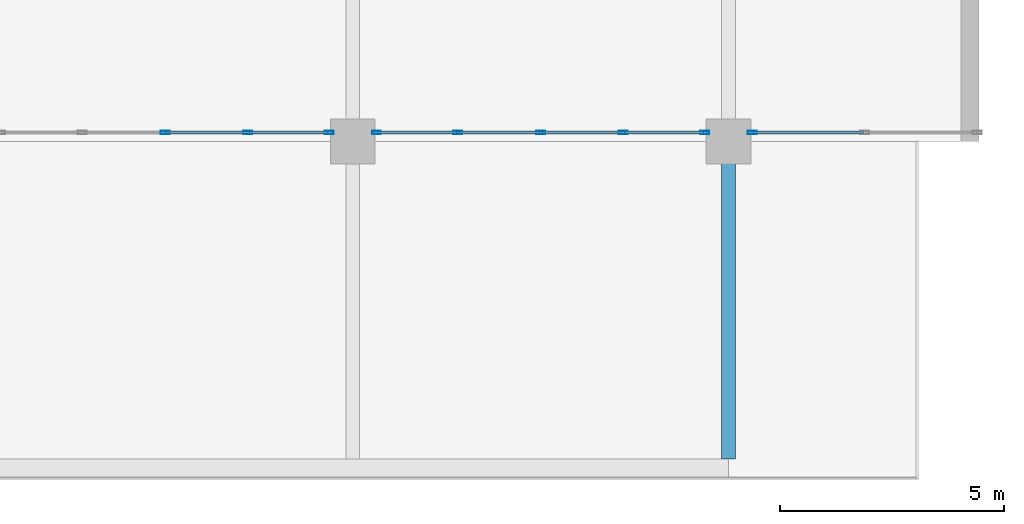
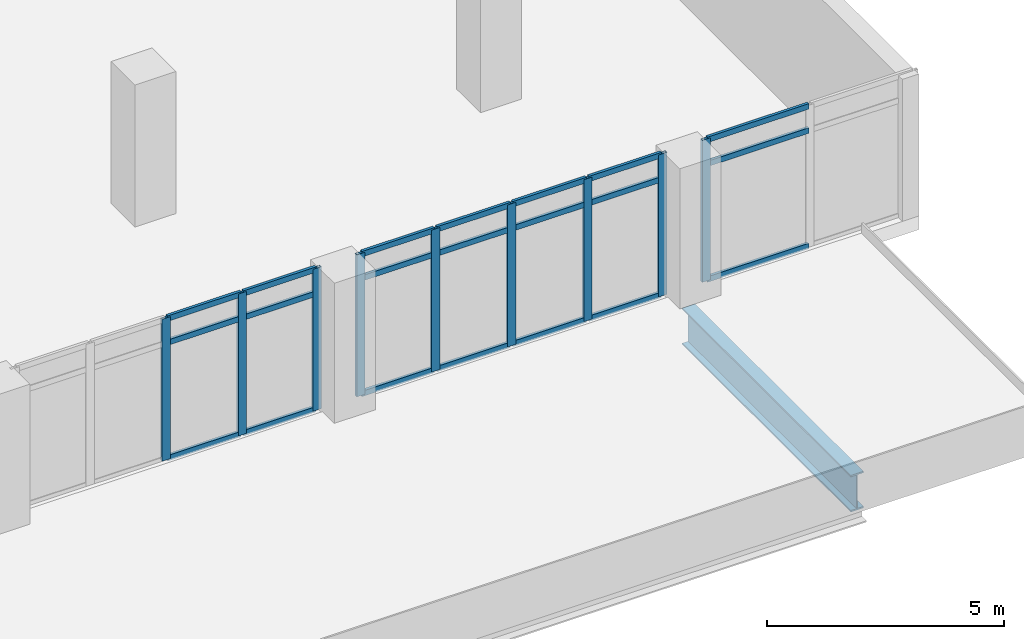
# One storey, part 6 of 24: 30 members, 1 beam, 3 elements without a shape of their own.
"""IFC4 building model written with IfcOpenShell, lengths in metres."""

from ifc_helpers import new_model, si_unit, direction, frame, origin, origin_2d, place, context, subcontext, project, spatial, hollow_rectangle, i_section, extrude, material, material_profile, profile_set, type_object, element, aggregate, save


model = new_model("IFC4")

# Units and contexts
model_context = context("Model", 3, precision=1e-05, world=origin(), true_north=direction((0.0, 1.0)))
body_context = subcontext(model_context, "Body", "Model", "MODEL_VIEW")
ifc_project = project(units=[si_unit("LENGTHUNIT", "METRE"), si_unit("AREAUNIT", "SQUARE_METRE"), si_unit("VOLUMEUNIT", "CUBIC_METRE"), si_unit("PLANEANGLEUNIT", "RADIAN"), si_unit("MASSUNIT", "GRAM", prefix="KILO")], contexts=[model_context])

# Site, building, storey
site_placement = place(None, origin())
site = spatial("IfcSite", under=ifc_project, at=site_placement, CompositionType="ELEMENT")
building_placement = place(site_placement, origin())
building = spatial("IfcBuilding", under=site, at=building_placement, Name="Ostrander Bayou Hotel Tower", CompositionType="ELEMENT")
storey_placement = place(building_placement, frame((0.0, 0.0, 6.0)))
storey = spatial("IfcBuildingStorey", under=building, at=storey_placement, Name="L01", CompositionType="ELEMENT", Elevation=6.0)

# Beam
ifc_material_1 = material(Name="Steel ASTM A992", Category="steel")
ifc_material_profile_1 = material_profile(ifc_material_1, i_section(OverallWidth=0.307861328125, OverallDepth=0.94287109375, WebThickness=0.022216796875, FlangeThickness=0.039794921875, at=origin_2d()))
ifc_profile_set_1 = profile_set([ifc_material_profile_1], Name="Steel ASTM A992")
beam_type = type_object("IfcBeamType", Name="CG2 canopy cantilever girder W36x232", PredefinedType="BEAM", material=ifc_profile_set_1)
beam_placement = place(storey_placement, frame((8.39990234375, -50.39990234375, -0.8212890625), z_axis=(0.0, -1.0, 0.0), x_axis=(1.0, 0.0, 0.0)))
element("IfcBeam", 1, at=beam_placement, inside=storey, type_object=beam_type, Name="CG2 G3 cantilever", PredefinedType="BEAM", context=body_context, shape_type="SweptSolid", body=[
    extrude(i_section(OverallWidth=0.307861328125, OverallDepth=0.94287109375, WebThickness=0.022216796875, FlangeThickness=0.039794921875, at=origin_2d()), origin(), (0.0, 0.0, 1.0), 7.097900390625),
])

# Curtain wall, member
ifc_material_2 = material(Name="Aluminium and clear glass", Category="aluminium")
curtain_wall_type = type_object("IfcCurtainWallType", Name="CW-LOBBY glazed wall", PredefinedType="NOTDEFINED", material=ifc_material_2)
curtain_wall_1_placement = place(storey_placement, origin())
curtain_wall_1 = element("IfcCurtainWall", 2, at=curtain_wall_1_placement, inside=storey, type_object=curtain_wall_type, Name="CW-LOBBY L01:2", PredefinedType="NOTDEFINED")
ifc_material_3 = material(Name="Aluminium", Category="aluminium")
ifc_material_profile_2 = material_profile(ifc_material_3, hollow_rectangle(XDim=0.070068359375, YDim=0.199951171875, WallThickness=0.00390625, at=origin_2d()))
ifc_profile_set_2 = profile_set([ifc_material_profile_2], Name="Aluminium")
member_type_1 = type_object("IfcMemberType", Name="CW-LO mullion 70 x 200 mm", PredefinedType="MULLION", material=ifc_profile_set_2)
member_1_placement = place(storey_placement, frame((8.929931640625, -50.199951171875, 0.0), z_axis=(0.0, 0.0, 1.0), x_axis=(0.0, -1.0, 0.0)))
member_1 = element("IfcMember", 3, at=member_1_placement, type_object=member_type_1, Name="CW-LOBBY mullion 3", PredefinedType="MULLION", context=body_context, shape_type="SweptSolid", body=[
    extrude(hollow_rectangle(XDim=0.070068359375, YDim=0.199951171875, WallThickness=0.00390625, at=origin_2d()), origin(), (0.0, 0.0, 1.0), 3.64990234375),
])

# Curtain wall, members
curtain_wall_2_placement = place(storey_placement, origin())
curtain_wall_2 = element("IfcCurtainWall", 4, at=curtain_wall_2_placement, inside=storey, type_object=curtain_wall_type, Name="CW-LOBBY L01:3", PredefinedType="NOTDEFINED")
member_2_placement = place(storey_placement, frame((7.8701171875, -50.199951171875, 0.0), z_axis=(0.0, 0.0, 1.0), x_axis=(0.0, -1.0, 0.0)))
member_2 = element("IfcMember", 5, at=member_2_placement, type_object=member_type_1, Name="CW-LOBBY mullion 1", PredefinedType="MULLION", context=body_context, shape_type="SweptSolid", body=[
    extrude(hollow_rectangle(XDim=0.070068359375, YDim=0.199951171875, WallThickness=0.00390625, at=origin_2d()), origin(), (0.0, 0.0, 1.0), 3.64990234375),
])
member_3_placement = place(storey_placement, frame((6.050048828125, -50.199951171875, 0.0), z_axis=(0.0, 0.0, 1.0), x_axis=(0.0, -1.0, 0.0)))
member_3 = element("IfcMember", 6, at=member_3_placement, type_object=member_type_1, Name="CW-LOBBY mullion 2", PredefinedType="MULLION", context=body_context, shape_type="SweptSolid", body=[
    extrude(hollow_rectangle(XDim=0.070068359375, YDim=0.199951171875, WallThickness=0.00390625, at=origin_2d()), origin(), (0.0, 0.0, 1.0), 3.64990234375),
])
member_4_placement = place(storey_placement, frame((4.199951171875, -50.199951171875, 0.0), z_axis=(0.0, 0.0, 1.0), x_axis=(0.0, -1.0, 0.0)))
member_4 = element("IfcMember", 7, at=member_4_placement, type_object=member_type_1, Name="CW-LOBBY mullion 3", PredefinedType="MULLION", context=body_context, shape_type="SweptSolid", body=[
    extrude(hollow_rectangle(XDim=0.070068359375, YDim=0.199951171875, WallThickness=0.00390625, at=origin_2d()), origin(), (0.0, 0.0, 1.0), 3.64990234375),
])
member_5_placement = place(storey_placement, frame((2.35009765625, -50.199951171875, 0.0), z_axis=(0.0, 0.0, 1.0), x_axis=(0.0, -1.0, 0.0)))
member_5 = element("IfcMember", 8, at=member_5_placement, type_object=member_type_1, Name="CW-LOBBY mullion 4", PredefinedType="MULLION", context=body_context, shape_type="SweptSolid", body=[
    extrude(hollow_rectangle(XDim=0.070068359375, YDim=0.199951171875, WallThickness=0.00390625, at=origin_2d()), origin(), (0.0, 0.0, 1.0), 3.64990234375),
])
member_6_placement = place(storey_placement, frame((0.530029296875, -50.199951171875, 0.0), z_axis=(0.0, 0.0, 1.0), x_axis=(0.0, -1.0, 0.0)))
member_6 = element("IfcMember", 9, at=member_6_placement, type_object=member_type_1, Name="CW-LOBBY mullion 5", PredefinedType="MULLION", context=body_context, shape_type="SweptSolid", body=[
    extrude(hollow_rectangle(XDim=0.070068359375, YDim=0.199951171875, WallThickness=0.00390625, at=origin_2d()), origin(), (0.0, 0.0, 1.0), 3.64990234375),
])

curtain_wall_3_placement = place(storey_placement, origin())
curtain_wall_3 = element("IfcCurtainWall", 10, at=curtain_wall_3_placement, inside=storey, type_object=curtain_wall_type, Name="CW-LOBBY L01:4", PredefinedType="NOTDEFINED")
member_7_placement = place(storey_placement, frame((-0.530029296875, -50.199951171875, 0.0), z_axis=(0.0, 0.0, 1.0), x_axis=(0.0, -1.0, 0.0)))
member_7 = element("IfcMember", 11, at=member_7_placement, type_object=member_type_1, Name="CW-LOBBY mullion 1", PredefinedType="MULLION", context=body_context, shape_type="SweptSolid", body=[
    extrude(hollow_rectangle(XDim=0.070068359375, YDim=0.199951171875, WallThickness=0.00390625, at=origin_2d()), origin(), (0.0, 0.0, 1.0), 3.64990234375),
])
member_8_placement = place(storey_placement, frame((-2.35009765625, -50.199951171875, 0.0), z_axis=(0.0, 0.0, 1.0), x_axis=(0.0, -1.0, 0.0)))
member_8 = element("IfcMember", 12, at=member_8_placement, type_object=member_type_1, Name="CW-LOBBY mullion 2", PredefinedType="MULLION", context=body_context, shape_type="SweptSolid", body=[
    extrude(hollow_rectangle(XDim=0.070068359375, YDim=0.199951171875, WallThickness=0.00390625, at=origin_2d()), origin(), (0.0, 0.0, 1.0), 3.64990234375),
])
member_9_placement = place(storey_placement, frame((-4.199951171875, -50.199951171875, 0.0), z_axis=(0.0, 0.0, 1.0), x_axis=(0.0, -1.0, 0.0)))
member_9 = element("IfcMember", 13, at=member_9_placement, type_object=member_type_1, Name="CW-LOBBY mullion 3", PredefinedType="MULLION", context=body_context, shape_type="SweptSolid", body=[
    extrude(hollow_rectangle(XDim=0.070068359375, YDim=0.199951171875, WallThickness=0.00390625, at=origin_2d()), origin(), (0.0, 0.0, 1.0), 3.64990234375),
])

# Member
ifc_material_4 = material(Name="Aluminium", Category="aluminium")
ifc_material_profile_3 = material_profile(ifc_material_4, hollow_rectangle(XDim=0.070068359375, YDim=0.139892578125, WallThickness=0.00390625, at=origin_2d()))
ifc_profile_set_3 = profile_set([ifc_material_profile_3], Name="Aluminium")
member_type_2 = type_object("IfcMemberType", Name="CW-LO transom 70 x 140 mm", PredefinedType="USERDEFINED", material=ifc_profile_set_3)
member_10_placement = place(storey_placement, frame((11.419921875, -50.199951171875, 0.030029296875), z_axis=(-1.0, 0.0, 0.0), x_axis=(0.0, -1.0, 0.0)))
member_10 = element("IfcMember", 14, at=member_10_placement, type_object=member_type_2, Name="CW-LOBBY transom 2.1", ObjectType="TRANSOM", PredefinedType="USERDEFINED", context=body_context, shape_type="SweptSolid", body=[
    extrude(hollow_rectangle(XDim=0.070068359375, YDim=0.139892578125, WallThickness=0.00390625, at=origin_2d()), origin(), (0.0, 0.0, 1.0), 2.4599609375),
])

member_11_placement = place(storey_placement, frame((11.419921875, -50.199951171875, 3.0), z_axis=(-1.0, 0.0, 0.0), x_axis=(0.0, -1.0, 0.0)))
member_11 = element("IfcMember", 15, at=member_11_placement, type_object=member_type_2, Name="CW-LOBBY transom 2.2", ObjectType="TRANSOM", PredefinedType="USERDEFINED", context=body_context, shape_type="SweptSolid", body=[
    extrude(hollow_rectangle(XDim=0.070068359375, YDim=0.139892578125, WallThickness=0.00390625, at=origin_2d()), origin(), (0.0, 0.0, 1.0), 2.4599609375),
])

member_12_placement = place(storey_placement, frame((11.419921875, -50.199951171875, 3.6201171875), z_axis=(-1.0, 0.0, 0.0), x_axis=(0.0, -1.0, 0.0)))
member_12 = element("IfcMember", 16, at=member_12_placement, type_object=member_type_2, Name="CW-LOBBY transom 2.3", ObjectType="TRANSOM", PredefinedType="USERDEFINED", context=body_context, shape_type="SweptSolid", body=[
    extrude(hollow_rectangle(XDim=0.070068359375, YDim=0.139892578125, WallThickness=0.00390625, at=origin_2d()), origin(), (0.0, 0.0, 1.0), 2.4599609375),
])

aggregate(curtain_wall_1, [member_1, member_10, member_11, member_12])

member_13_placement = place(storey_placement, frame((7.840087890625, -50.199951171875, 0.030029296875), z_axis=(-1.0, 0.0, 0.0), x_axis=(0.0, -1.0, 0.0)))
member_13 = element("IfcMember", 17, at=member_13_placement, type_object=member_type_2, Name="CW-LOBBY transom 1.1", ObjectType="TRANSOM", PredefinedType="USERDEFINED", context=body_context, shape_type="SweptSolid", body=[
    extrude(hollow_rectangle(XDim=0.070068359375, YDim=0.139892578125, WallThickness=0.00390625, at=origin_2d()), origin(), (0.0, 0.0, 1.0), 1.760009765625),
])

member_14_placement = place(storey_placement, frame((7.840087890625, -50.199951171875, 3.0), z_axis=(-1.0, 0.0, 0.0), x_axis=(0.0, -1.0, 0.0)))
member_14 = element("IfcMember", 18, at=member_14_placement, type_object=member_type_2, Name="CW-LOBBY transom 1.2", ObjectType="TRANSOM", PredefinedType="USERDEFINED", context=body_context, shape_type="SweptSolid", body=[
    extrude(hollow_rectangle(XDim=0.070068359375, YDim=0.139892578125, WallThickness=0.00390625, at=origin_2d()), origin(), (0.0, 0.0, 1.0), 1.760009765625),
])

member_15_placement = place(storey_placement, frame((7.840087890625, -50.199951171875, 3.6201171875), z_axis=(-1.0, 0.0, 0.0), x_axis=(0.0, -1.0, 0.0)))
member_15 = element("IfcMember", 19, at=member_15_placement, type_object=member_type_2, Name="CW-LOBBY transom 1.3", ObjectType="TRANSOM", PredefinedType="USERDEFINED", context=body_context, shape_type="SweptSolid", body=[
    extrude(hollow_rectangle(XDim=0.070068359375, YDim=0.139892578125, WallThickness=0.00390625, at=origin_2d()), origin(), (0.0, 0.0, 1.0), 1.760009765625),
])

member_16_placement = place(storey_placement, frame((6.02001953125, -50.199951171875, 0.030029296875), z_axis=(-1.0, 0.0, 0.0), x_axis=(0.0, -1.0, 0.0)))
member_16 = element("IfcMember", 20, at=member_16_placement, type_object=member_type_2, Name="CW-LOBBY transom 2.1", ObjectType="TRANSOM", PredefinedType="USERDEFINED", context=body_context, shape_type="SweptSolid", body=[
    extrude(hollow_rectangle(XDim=0.070068359375, YDim=0.139892578125, WallThickness=0.00390625, at=origin_2d()), origin(), (0.0, 0.0, 1.0), 1.7900390625),
])

member_17_placement = place(storey_placement, frame((6.02001953125, -50.199951171875, 3.0), z_axis=(-1.0, 0.0, 0.0), x_axis=(0.0, -1.0, 0.0)))
member_17 = element("IfcMember", 21, at=member_17_placement, type_object=member_type_2, Name="CW-LOBBY transom 2.2", ObjectType="TRANSOM", PredefinedType="USERDEFINED", context=body_context, shape_type="SweptSolid", body=[
    extrude(hollow_rectangle(XDim=0.070068359375, YDim=0.139892578125, WallThickness=0.00390625, at=origin_2d()), origin(), (0.0, 0.0, 1.0), 1.7900390625),
])

member_18_placement = place(storey_placement, frame((6.02001953125, -50.199951171875, 3.6201171875), z_axis=(-1.0, 0.0, 0.0), x_axis=(0.0, -1.0, 0.0)))
member_18 = element("IfcMember", 22, at=member_18_placement, type_object=member_type_2, Name="CW-LOBBY transom 2.3", ObjectType="TRANSOM", PredefinedType="USERDEFINED", context=body_context, shape_type="SweptSolid", body=[
    extrude(hollow_rectangle(XDim=0.070068359375, YDim=0.139892578125, WallThickness=0.00390625, at=origin_2d()), origin(), (0.0, 0.0, 1.0), 1.7900390625),
])

member_19_placement = place(storey_placement, frame((4.169921875, -50.199951171875, 0.030029296875), z_axis=(-1.0, 0.0, 0.0), x_axis=(0.0, -1.0, 0.0)))
member_19 = element("IfcMember", 23, at=member_19_placement, type_object=member_type_2, Name="CW-LOBBY transom 3.1", ObjectType="TRANSOM", PredefinedType="USERDEFINED", context=body_context, shape_type="SweptSolid", body=[
    extrude(hollow_rectangle(XDim=0.070068359375, YDim=0.139892578125, WallThickness=0.00390625, at=origin_2d()), origin(), (0.0, 0.0, 1.0), 1.7900390625),
])

member_20_placement = place(storey_placement, frame((4.169921875, -50.199951171875, 3.0), z_axis=(-1.0, 0.0, 0.0), x_axis=(0.0, -1.0, 0.0)))
member_20 = element("IfcMember", 24, at=member_20_placement, type_object=member_type_2, Name="CW-LOBBY transom 3.2", ObjectType="TRANSOM", PredefinedType="USERDEFINED", context=body_context, shape_type="SweptSolid", body=[
    extrude(hollow_rectangle(XDim=0.070068359375, YDim=0.139892578125, WallThickness=0.00390625, at=origin_2d()), origin(), (0.0, 0.0, 1.0), 1.7900390625),
])

member_21_placement = place(storey_placement, frame((4.169921875, -50.199951171875, 3.6201171875), z_axis=(-1.0, 0.0, 0.0), x_axis=(0.0, -1.0, 0.0)))
member_21 = element("IfcMember", 25, at=member_21_placement, type_object=member_type_2, Name="CW-LOBBY transom 3.3", ObjectType="TRANSOM", PredefinedType="USERDEFINED", context=body_context, shape_type="SweptSolid", body=[
    extrude(hollow_rectangle(XDim=0.070068359375, YDim=0.139892578125, WallThickness=0.00390625, at=origin_2d()), origin(), (0.0, 0.0, 1.0), 1.7900390625),
])

member_22_placement = place(storey_placement, frame((2.320068359375, -50.199951171875, 0.030029296875), z_axis=(-1.0, 0.0, 0.0), x_axis=(0.0, -1.0, 0.0)))
member_22 = element("IfcMember", 26, at=member_22_placement, type_object=member_type_2, Name="CW-LOBBY transom 4.1", ObjectType="TRANSOM", PredefinedType="USERDEFINED", context=body_context, shape_type="SweptSolid", body=[
    extrude(hollow_rectangle(XDim=0.070068359375, YDim=0.139892578125, WallThickness=0.00390625, at=origin_2d()), origin(), (0.0, 0.0, 1.0), 1.760009765625),
])

member_23_placement = place(storey_placement, frame((2.320068359375, -50.199951171875, 3.0), z_axis=(-1.0, 0.0, 0.0), x_axis=(0.0, -1.0, 0.0)))
member_23 = element("IfcMember", 27, at=member_23_placement, type_object=member_type_2, Name="CW-LOBBY transom 4.2", ObjectType="TRANSOM", PredefinedType="USERDEFINED", context=body_context, shape_type="SweptSolid", body=[
    extrude(hollow_rectangle(XDim=0.070068359375, YDim=0.139892578125, WallThickness=0.00390625, at=origin_2d()), origin(), (0.0, 0.0, 1.0), 1.760009765625),
])

member_24_placement = place(storey_placement, frame((2.320068359375, -50.199951171875, 3.6201171875), z_axis=(-1.0, 0.0, 0.0), x_axis=(0.0, -1.0, 0.0)))
member_24 = element("IfcMember", 28, at=member_24_placement, type_object=member_type_2, Name="CW-LOBBY transom 4.3", ObjectType="TRANSOM", PredefinedType="USERDEFINED", context=body_context, shape_type="SweptSolid", body=[
    extrude(hollow_rectangle(XDim=0.070068359375, YDim=0.139892578125, WallThickness=0.00390625, at=origin_2d()), origin(), (0.0, 0.0, 1.0), 1.760009765625),
])

aggregate(curtain_wall_2, [member_2, member_3, member_4, member_5, member_6, member_13, member_14, member_15, member_16, member_17, member_18, member_19, member_20, member_21, member_22, member_23, member_24])

member_25_placement = place(storey_placement, frame((-0.56005859375, -50.199951171875, 0.030029296875), z_axis=(-1.0, 0.0, 0.0), x_axis=(0.0, -1.0, 0.0)))
member_25 = element("IfcMember", 29, at=member_25_placement, type_object=member_type_2, Name="CW-LOBBY transom 1.1", ObjectType="TRANSOM", PredefinedType="USERDEFINED", context=body_context, shape_type="SweptSolid", body=[
    extrude(hollow_rectangle(XDim=0.070068359375, YDim=0.139892578125, WallThickness=0.00390625, at=origin_2d()), origin(), (0.0, 0.0, 1.0), 1.760009765625),
])

member_26_placement = place(storey_placement, frame((-0.56005859375, -50.199951171875, 3.0), z_axis=(-1.0, 0.0, 0.0), x_axis=(0.0, -1.0, 0.0)))
member_26 = element("IfcMember", 30, at=member_26_placement, type_object=member_type_2, Name="CW-LOBBY transom 1.2", ObjectType="TRANSOM", PredefinedType="USERDEFINED", context=body_context, shape_type="SweptSolid", body=[
    extrude(hollow_rectangle(XDim=0.070068359375, YDim=0.139892578125, WallThickness=0.00390625, at=origin_2d()), origin(), (0.0, 0.0, 1.0), 1.760009765625),
])

member_27_placement = place(storey_placement, frame((-0.56005859375, -50.199951171875, 3.6201171875), z_axis=(-1.0, 0.0, 0.0), x_axis=(0.0, -1.0, 0.0)))
member_27 = element("IfcMember", 31, at=member_27_placement, type_object=member_type_2, Name="CW-LOBBY transom 1.3", ObjectType="TRANSOM", PredefinedType="USERDEFINED", context=body_context, shape_type="SweptSolid", body=[
    extrude(hollow_rectangle(XDim=0.070068359375, YDim=0.139892578125, WallThickness=0.00390625, at=origin_2d()), origin(), (0.0, 0.0, 1.0), 1.760009765625),
])

member_28_placement = place(storey_placement, frame((-2.3798828125, -50.199951171875, 0.030029296875), z_axis=(-1.0, 0.0, 0.0), x_axis=(0.0, -1.0, 0.0)))
member_28 = element("IfcMember", 32, at=member_28_placement, type_object=member_type_2, Name="CW-LOBBY transom 2.1", ObjectType="TRANSOM", PredefinedType="USERDEFINED", context=body_context, shape_type="SweptSolid", body=[
    extrude(hollow_rectangle(XDim=0.070068359375, YDim=0.139892578125, WallThickness=0.00390625, at=origin_2d()), origin(), (0.0, 0.0, 1.0), 1.7900390625),
])

member_29_placement = place(storey_placement, frame((-2.3798828125, -50.199951171875, 3.0), z_axis=(-1.0, 0.0, 0.0), x_axis=(0.0, -1.0, 0.0)))
member_29 = element("IfcMember", 33, at=member_29_placement, type_object=member_type_2, Name="CW-LOBBY transom 2.2", ObjectType="TRANSOM", PredefinedType="USERDEFINED", context=body_context, shape_type="SweptSolid", body=[
    extrude(hollow_rectangle(XDim=0.070068359375, YDim=0.139892578125, WallThickness=0.00390625, at=origin_2d()), origin(), (0.0, 0.0, 1.0), 1.7900390625),
])

member_30_placement = place(storey_placement, frame((-2.3798828125, -50.199951171875, 3.6201171875), z_axis=(-1.0, 0.0, 0.0), x_axis=(0.0, -1.0, 0.0)))
member_30 = element("IfcMember", 34, at=member_30_placement, type_object=member_type_2, Name="CW-LOBBY transom 2.3", ObjectType="TRANSOM", PredefinedType="USERDEFINED", context=body_context, shape_type="SweptSolid", body=[
    extrude(hollow_rectangle(XDim=0.070068359375, YDim=0.139892578125, WallThickness=0.00390625, at=origin_2d()), origin(), (0.0, 0.0, 1.0), 1.7900390625),
])

aggregate(curtain_wall_3, [member_7, member_8, member_9, member_25, member_26, member_27, member_28, member_29, member_30])

save(model, "model.ifc")
